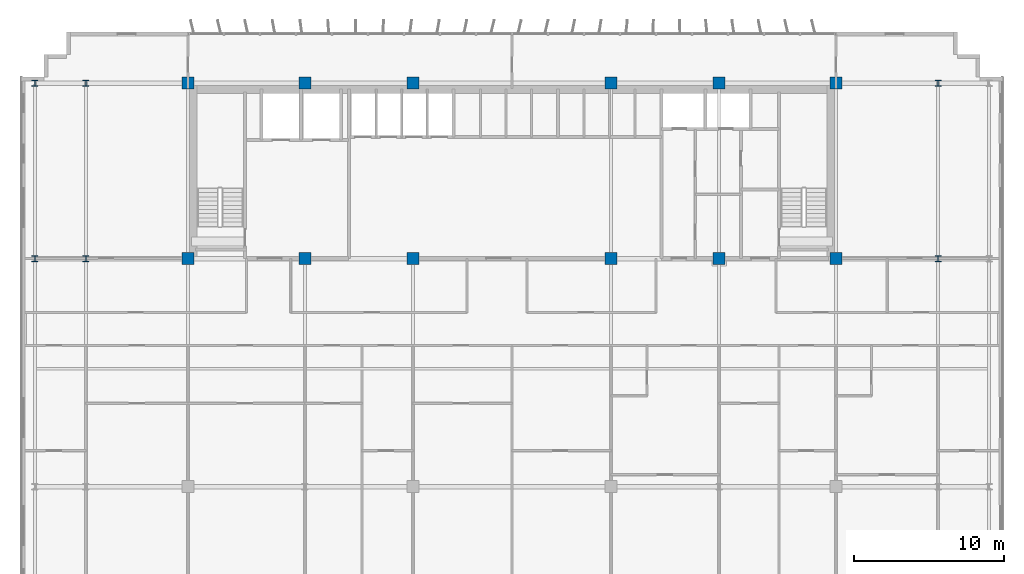
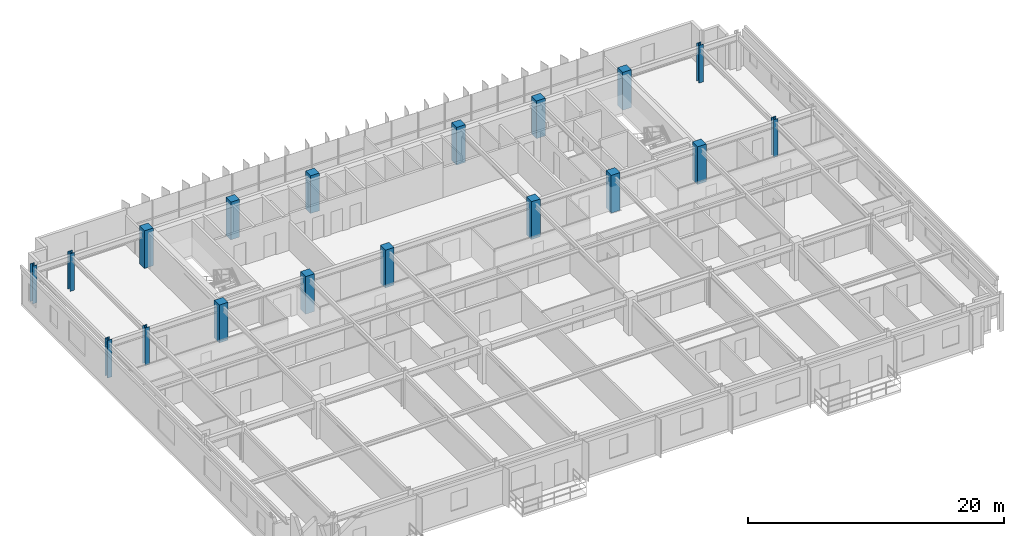
# One storey, part 2 of 21: 18 columns.
"""IFC4 building model written with IfcOpenShell, lengths in metres."""

import ifcopenshell
import ifcopenshell.guid

model = None  # the IFC model being written
_history = None  # IfcOwnerHistory: only IFC2X3 demands one
_inside = {}  # id of a spatial element -> (the spatial element, [elements in it])
_under = {}  # id of a project, library or spatial element -> (it, [spatial elements below it])
_declared = {}  # id of a project -> (the project, [libraries it declares])
_typed = {}  # id of a type object -> (the type object, [elements of that type])
_made_of = {}  # id of a material, layer set ... -> (it, [elements and type objects made of it])


def new_model(schema):
    """Start an empty IFC model of exactly this schema.

    Asked for "IFC4X3", IfcOpenShell would pick the latest addendum, in which some entities
    have other attributes; the version numbers below select the first issue.
    IFC2X3 requires an IfcOwnerHistory on every rooted entity: one is made here for all.
    """
    global model, _history
    if schema == "IFC4X3":
        model = ifcopenshell.file(schema_version=(4, 3, 0, 0))
    else:
        model = ifcopenshell.file(schema=schema)
    _inside.clear()
    _under.clear()
    _declared.clear()
    _typed.clear()
    _made_of.clear()
    _history = None
    if model.schema == "IFC2X3":
        org = make("IfcOrganization", Name="unknown")
        user = make(
            "IfcPersonAndOrganization",
            ThePerson=make("IfcPerson", FamilyName="unknown"),
            TheOrganization=org,
        )
        app = make(
            "IfcApplication",
            ApplicationDeveloper=org,
            Version="unknown",
            ApplicationFullName="unknown",
            ApplicationIdentifier="unknown",
        )
        _history = make(
            "IfcOwnerHistory",
            OwningUser=user,
            OwningApplication=app,
            ChangeAction="ADDED",
            CreationDate=0,
        )
    return model


def make(cls, **values):
    """One entity of the class cls with the attributes given. An attribute that is None is left unset."""
    return model.create_entity(
        cls, **{name: value for name, value in values.items() if value is not None}
    )


def rooted(cls, **values):
    """An entity with a GlobalId (a new one), such as an element, a storey or a relation."""
    return make(cls, GlobalId=ifcopenshell.guid.new(), OwnerHistory=_history, **values)


def si_unit(unit_type, name, prefix=None):
    """IfcSIUnit, for example si_unit("LENGTHUNIT", "METRE", prefix="MILLI")."""
    return make("IfcSIUnit", UnitType=unit_type, Prefix=prefix, Name=name)


def assignment(units):
    """IfcUnitAssignment: the units of a project."""
    return None if units is None else make("IfcUnitAssignment", Units=units)


def point(xyz):
    """IfcCartesianPoint."""
    return None if xyz is None else make("IfcCartesianPoint", Coordinates=xyz)


def direction(xyz):
    """IfcDirection."""
    return None if xyz is None else make("IfcDirection", DirectionRatios=xyz)


def frame(location, z_axis=None, x_axis=None):
    """IfcAxis2Placement3D, a coordinate frame: its origin and axes. An axis left out is left unset."""
    return make(
        "IfcAxis2Placement3D",
        Location=point(location),
        Axis=direction(z_axis),
        RefDirection=direction(x_axis),
    )


def frame_2d(location, x_axis=None):
    """IfcAxis2Placement2D, a coordinate frame in the plane: its origin and x axis."""
    return make(
        "IfcAxis2Placement2D", Location=point(location), RefDirection=direction(x_axis)
    )


def origin():
    """The frame at (0, 0, 0) with its axes left unset."""
    return frame((0.0, 0.0, 0.0))


def origin_2d():
    """The frame at (0, 0) in the plane with its x axis left unset."""
    return frame_2d((0.0, 0.0))


def place(relative_to, where):
    """IfcLocalPlacement: puts the frame where relative to a parent placement (None: the world)."""
    return make(
        "IfcLocalPlacement", PlacementRelTo=relative_to, RelativePlacement=where
    )


def context(
    kind, dimensions, precision=None, world=None, true_north=None, identifier=None
):
    """IfcGeometricRepresentationContext, for example the 3D "Model" context."""
    return make(
        "IfcGeometricRepresentationContext",
        ContextIdentifier=identifier,
        ContextType=kind,
        CoordinateSpaceDimension=dimensions,
        Precision=precision,
        WorldCoordinateSystem=world,
        TrueNorth=true_north,
    )


def subcontext(parent, identifier, kind, view, scale=None):
    """IfcGeometricRepresentationSubContext, for example "Body" below "Model"."""
    return make(
        "IfcGeometricRepresentationSubContext",
        ContextIdentifier=identifier,
        ContextType=kind,
        ParentContext=parent,
        TargetScale=scale,
        TargetView=view,
    )


def project(units=None, contexts=None):
    """IfcProject with its units and contexts."""
    return rooted(
        "IfcProject",
        Name="project",
        RepresentationContexts=contexts,
        UnitsInContext=assignment(units),
    )


def spatial(cls, under=None, at=None, **own):
    """A site, building, storey or space (cls), placed at a placement, below another one or the project."""
    s = rooted(cls, ObjectPlacement=at, **own)
    if under is not None:
        _under.setdefault(under.id(), (under, []))[1].append(s)
    return s


def profile(cls, at=None, kind="AREA", **sizes):
    """A parametric profile (cls). Its sizes go by their IFC names, for example OverallWidth=200.0."""
    return make(cls, ProfileType=kind, Position=at, **sizes)


def rectangle(**sizes):
    """IfcRectangleProfileDef."""
    return profile("IfcRectangleProfileDef", **sizes)


def i_section(**sizes):
    """IfcIShapeProfileDef."""
    return profile("IfcIShapeProfileDef", **sizes)


def extrude(swept, where, along, depth):
    """IfcExtrudedAreaSolid: the profile swept, set in the frame where, extruded along a direction by depth."""
    return make(
        "IfcExtrudedAreaSolid",
        SweptArea=swept,
        Position=where,
        ExtrudedDirection=direction(along),
        Depth=depth,
    )


def shape(context_of_items, identifier, shape_type, items):
    """IfcShapeRepresentation: the items that make up one representation, for example the "Body"."""
    return make(
        "IfcShapeRepresentation",
        ContextOfItems=context_of_items,
        RepresentationIdentifier=identifier,
        RepresentationType=shape_type,
        Items=items,
    )


def source(mapping_origin, context_of_items, identifier, shape_type, items):
    """IfcRepresentationMap: a shape defined once, which mapped items show again and again."""
    return make(
        "IfcRepresentationMap",
        MappingOrigin=mapping_origin,
        MappedRepresentation=shape(context_of_items, identifier, shape_type, items),
    )


def transform(
    local_origin,
    x_axis=None,
    y_axis=None,
    z_axis=None,
    scale=None,
    scale2=None,
    scale3=None,
    uniform=True,
):
    """IfcCartesianTransformationOperator3D, or its non-uniform kind. x_axis, y_axis, z_axis: its Axis1, 2, 3."""
    if uniform:
        return make(
            "IfcCartesianTransformationOperator3D",
            Axis1=direction(x_axis),
            Axis2=direction(y_axis),
            LocalOrigin=point(local_origin),
            Scale=scale,
            Axis3=direction(z_axis),
        )
    return make(
        "IfcCartesianTransformationOperator3DnonUniform",
        Axis1=direction(x_axis),
        Axis2=direction(y_axis),
        LocalOrigin=point(local_origin),
        Scale=scale,
        Axis3=direction(z_axis),
        Scale2=scale2,
        Scale3=scale3,
    )


def mapped(mapping_source, mapping_target):
    """IfcMappedItem: shows the shape of a source again, moved by a transform."""
    return make(
        "IfcMappedItem", MappingSource=mapping_source, MappingTarget=mapping_target
    )


def material(Name=None, Category=None):
    """IfcMaterial."""
    return make("IfcMaterial", Name=Name, Category=Category)


def material_profile(
    of_material, cross_section, Name=None, Category=None, Priority=None
):
    """IfcMaterialProfile: a cross section and its material."""
    return make(
        "IfcMaterialProfile",
        Name=Name,
        Material=of_material,
        Profile=cross_section,
        Priority=Priority,
        Category=Category,
    )


def profile_set(profiles, Name=None, composite=None):
    """IfcMaterialProfileSet."""
    return make(
        "IfcMaterialProfileSet",
        Name=Name,
        MaterialProfiles=profiles,
        CompositeProfile=composite,
    )


def made_of(thing, what):
    """Note that an element or type object is made of a material, layer set ...; save() writes the relation."""
    if what is not None:
        _made_of.setdefault(what.id(), (what, []))[1].append(thing)
    return thing


def type_object(cls, material=None, **own):
    """A type object (cls), such as IfcWallType, which elements share."""
    return made_of(rooted(cls, **own), material)


def element(
    cls,
    number,
    at=None,
    inside=None,
    cuts=None,
    type_object=None,
    material=None,
    context=None,
    identifier="Body",
    shape_type=None,
    held_by="IfcProductDefinitionShape",
    body=None,
    shapes=None,
    **own,
):
    """One element of the class cls, such as IfcWall. Its Tag is "e" and its number.

    at: its placement. inside: the storey or other place that contains it. cuts: it is an
    opening in that element (IfcRelVoidsElement). A single representation is given by context,
    identifier, shape_type and body (its items); several are given by shapes. held_by: the class
    of the entity that holds the representations. save() writes the other relations.
    """
    e = rooted(cls, Tag="e%d" % number, ObjectPlacement=at, **own)
    if body is not None:
        shapes = [shape(context, identifier, shape_type, body)]
    if shapes is not None:
        e.Representation = make(held_by, Representations=shapes)
    if inside is not None:
        _inside.setdefault(inside.id(), (inside, []))[1].append(e)
    if cuts is not None:
        rooted(
            "IfcRelVoidsElement", RelatingBuildingElement=cuts, RelatedOpeningElement=e
        )
    if type_object is not None:
        _typed.setdefault(type_object.id(), (type_object, []))[1].append(e)
    return made_of(e, material)


def aggregate(whole, parts):
    """IfcRelAggregates: a whole, such as a stair, and the parts it consists of."""
    return rooted("IfcRelAggregates", RelatingObject=whole, RelatedObjects=parts)


def save(model, path):
    """Write the relations noted so far, then the file.

    IfcRelAggregates (storeys below a building ...), IfcRelContainedInSpatialStructure (elements
    in a storey), IfcRelDefinesByType, IfcRelAssociatesMaterial and IfcRelDeclares: one each for
    every whole, place, type object, material and project.
    """
    for whole, parts in _under.values():
        aggregate(whole, parts)
    for where, things in _inside.values():
        rooted(
            "IfcRelContainedInSpatialStructure",
            RelatedElements=things,
            RelatingStructure=where,
        )
    for kind, things in _typed.values():
        rooted("IfcRelDefinesByType", RelatedObjects=things, RelatingType=kind)
    for what, things in _made_of.values():
        rooted("IfcRelAssociatesMaterial", RelatedObjects=things, RelatingMaterial=what)
    for by, libraries in _declared.values():
        rooted("IfcRelDeclares", RelatingContext=by, RelatedDefinitions=libraries)
    model.write(path)


model = new_model("IFC4")

# Units and contexts
model_context = context("Model", 3, precision=1e-05, world=origin(), true_north=direction((0.0, 1.0)))
body_context = subcontext(model_context, "Body", "Model", "MODEL_VIEW")
ifc_project = project(units=[si_unit("LENGTHUNIT", "METRE"), si_unit("AREAUNIT", "SQUARE_METRE"), si_unit("VOLUMEUNIT", "CUBIC_METRE"), si_unit("PLANEANGLEUNIT", "RADIAN"), si_unit("MASSUNIT", "GRAM", prefix="KILO")], contexts=[model_context])

# Site, building, storey
site_placement = place(None, origin())
site = spatial("IfcSite", under=ifc_project, at=site_placement, CompositionType="ELEMENT")
building_placement = place(site_placement, origin())
building = spatial("IfcBuilding", under=site, at=building_placement, Name="Trelvane Seafront Commons", CompositionType="ELEMENT")
storey_placement = place(building_placement, frame((0.0, 0.0, 103.300048828125)))
storey = spatial("IfcBuildingStorey", under=building, at=storey_placement, Name="L26", CompositionType="ELEMENT", Elevation=103.300048828125)

# Columns
ifc_material_1 = material(Name="Steel SM355 (S355)", Category="steel")
ifc_material_profile_1 = material_profile(ifc_material_1, i_section(OverallWidth=0.39990234375, OverallDepth=0.39990234375, WebThickness=0.02197265625, FlangeThickness=0.034912109375, at=origin_2d()), Name="HD-400x400x22x35")
ifc_profile_set_1 = profile_set([ifc_material_profile_1], Name="Steel SM355 (S355)")
column_type_1 = type_object("IfcColumnType", Name="STR-COL-HD400", PredefinedType="COLUMN", material=ifc_profile_set_1)
shared_shape_1 = source(origin(), body_context, "Body", "SweptSolid", [
    extrude(i_section(OverallWidth=0.39990234375, OverallDepth=0.39990234375, WebThickness=0.02197265625, FlangeThickness=0.034912109375, at=origin_2d()), origin(), (0.0, 0.0, 1.0), 3.599853515625),
])
for number, where, z_axis, x_axis, name in (
    (1, (5.39990234375, 33.39990234375, 0.0), (0.0, 0.0, 1.0), (1.0, 0.0, 0.0), "L26 Column TC-CS5.4"),
    (2, (5.39990234375, 45.10009765625, 0.0), (0.0, 0.0, 1.0), (1.0, 0.0, 0.0), "L26 Column TC-CN5.4"),
    (3, (8.800048828125, 33.39990234375, 0.0), (0.0, 0.0, 1.0), (1.0, 0.0, 0.0), "L26 Column TC-CS8.8"),
    (4, (8.800048828125, 45.10009765625, 0.0), (0.0, 0.0, 1.0), (1.0, 0.0, 0.0), "L26 Column TC-CN8.8"),
    (5, (65.60009765625, 33.39990234375, 0.0), (0.0, 0.0, 1.0), (1.0, 0.0, 0.0), "L26 Column TC-CS65.6"),
    (6, (65.60009765625, 45.10009765625, 0.0), (0.0, 0.0, 1.0), (1.0, 0.0, 0.0), "L26 Column TC-CN65.6"),
):
    element("IfcColumn", number, at=place(storey_placement, frame(where, z_axis=z_axis, x_axis=x_axis)), inside=storey, type_object=column_type_1, Name=name, PredefinedType="COLUMN", context=body_context, shape_type="MappedRepresentation", body=[
        mapped(shared_shape_1, transform((0.0, 0.0, 0.0), x_axis=(1.0, 0.0, 0.0), y_axis=(0.0, 1.0, 0.0), z_axis=(0.0, 0.0, 1.0), scale=1.0)),
    ])
ifc_material_2 = material(Name="Concrete C60/75", Category="concrete")
ifc_material_profile_2 = material_profile(ifc_material_2, rectangle(XDim=0.800048828125, YDim=0.800048828125, at=origin_2d()), Name="RC-800x800")
ifc_profile_set_2 = profile_set([ifc_material_profile_2], Name="Concrete C60/75")
column_type_2 = type_object("IfcColumnType", Name="STR-COL-RC800", PredefinedType="COLUMN", material=ifc_profile_set_2)
shared_shape_2 = source(origin(), body_context, "Body", "SweptSolid", [
    extrude(rectangle(XDim=0.800048828125, YDim=0.800048828125, at=origin_2d()), origin(), (0.0, 0.0, 1.0), 3.599853515625),
])
for number, where, z_axis, x_axis, name in (
    (7, (15.60009765625, 33.39990234375, 0.0), (0.0, 0.0, 1.0), (1.0, 0.0, 0.0), "L26 Column TC-CS15.6"),
    (8, (15.60009765625, 45.10009765625, 0.0), (0.0, 0.0, 1.0), (1.0, 0.0, 0.0), "L26 Column TC-CN15.6"),
    (9, (23.39990234375, 33.39990234375, 0.0), (0.0, 0.0, 1.0), (1.0, 0.0, 0.0), "L26 Column TC-CS23.4"),
    (10, (23.39990234375, 45.10009765625, 0.0), (0.0, 0.0, 1.0), (1.0, 0.0, 0.0), "L26 Column TC-CN23.4"),
    (11, (30.60009765625, 33.39990234375, 0.0), (0.0, 0.0, 1.0), (1.0, 0.0, 0.0), "L26 Column TC-CS30.6"),
    (12, (30.60009765625, 45.10009765625, 0.0), (0.0, 0.0, 1.0), (1.0, 0.0, 0.0), "L26 Column TC-CN30.6"),
    (13, (43.800048828125, 33.39990234375, 0.0), (0.0, 0.0, 1.0), (1.0, 0.0, 0.0), "L26 Column TC-CS43.8"),
    (14, (43.800048828125, 45.10009765625, 0.0), (0.0, 0.0, 1.0), (1.0, 0.0, 0.0), "L26 Column TC-CN43.8"),
    (15, (51.0, 33.39990234375, 0.0), (0.0, 0.0, 1.0), (1.0, 0.0, 0.0), "L26 Column TC-CS51.0"),
    (16, (51.0, 45.10009765625, 0.0), (0.0, 0.0, 1.0), (1.0, 0.0, 0.0), "L26 Column TC-CN51.0"),
    (17, (58.800048828125, 33.39990234375, 0.0), (0.0, 0.0, 1.0), (1.0, 0.0, 0.0), "L26 Column TC-CS58.8"),
    (18, (58.800048828125, 45.10009765625, 0.0), (0.0, 0.0, 1.0), (1.0, 0.0, 0.0), "L26 Column TC-CN58.8"),
):
    element("IfcColumn", number, at=place(storey_placement, frame(where, z_axis=z_axis, x_axis=x_axis)), inside=storey, type_object=column_type_2, Name=name, PredefinedType="COLUMN", context=body_context, shape_type="MappedRepresentation", body=[
        mapped(shared_shape_2, transform((0.0, 0.0, 0.0), x_axis=(1.0, 0.0, 0.0), y_axis=(0.0, 1.0, 0.0), z_axis=(0.0, 0.0, 1.0), scale=1.0)),
    ])

save(model, "model.ifc")
